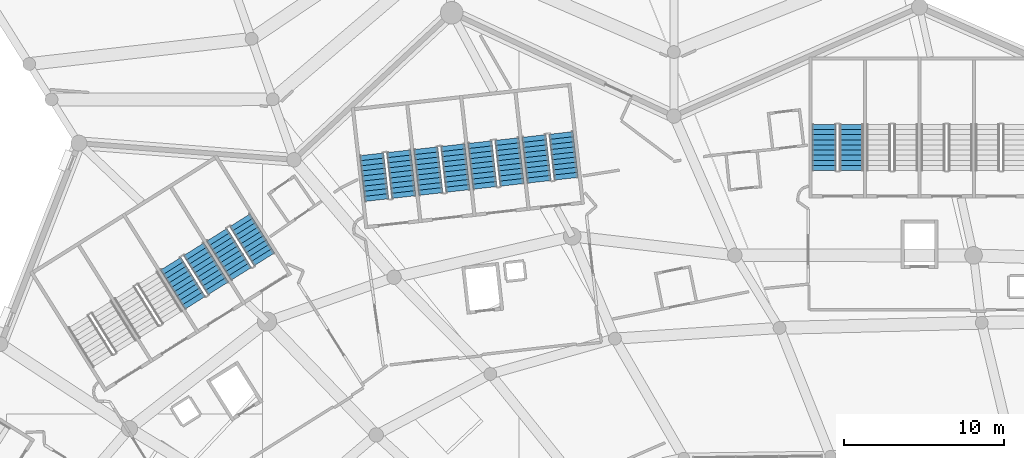
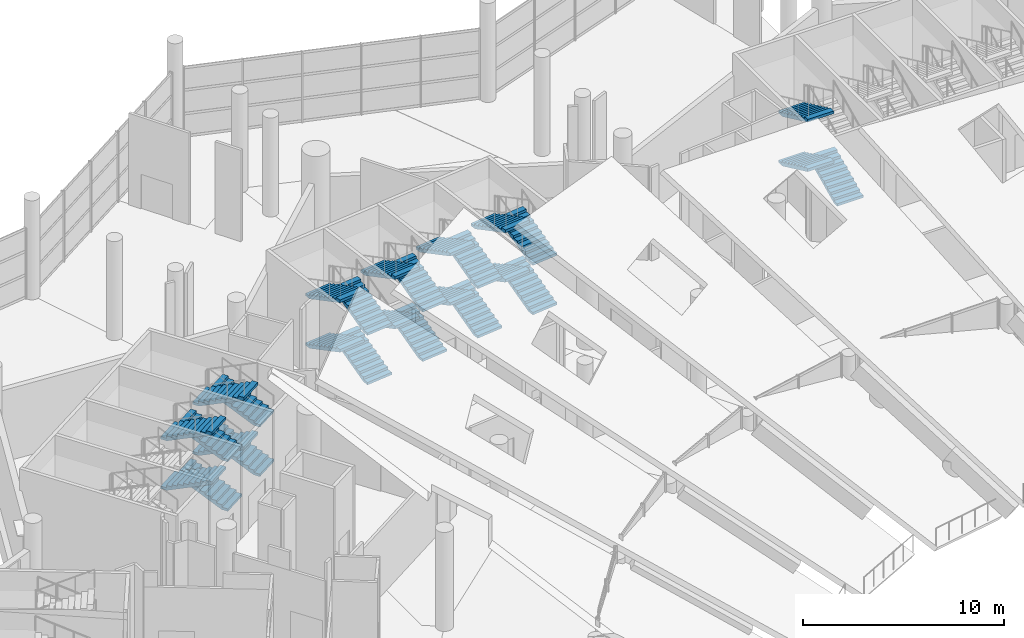
# One storey, part 193 of 249: 27 stair flights, 7 elements without a shape of their own.
"""IFC4 building model written with IfcOpenShell, lengths in metres."""

from ifc_helpers import new_model, si_unit, direction, frame, origin, place, context, subcontext, project, spatial, polyline, outline, extrude, material, type_object, element, aggregate, save


model = new_model("IFC4")

# Units and contexts
model_context = context("Model", 3, precision=1e-05, world=origin(), true_north=direction((0.0, 1.0)))
body_context = subcontext(model_context, "Body", "Model", "MODEL_VIEW")
ifc_project = project(units=[si_unit("LENGTHUNIT", "METRE"), si_unit("AREAUNIT", "SQUARE_METRE"), si_unit("VOLUMEUNIT", "CUBIC_METRE"), si_unit("PLANEANGLEUNIT", "RADIAN"), si_unit("MASSUNIT", "GRAM", prefix="KILO")], contexts=[model_context])

# Site, building, storey
site_placement = place(None, origin())
site = spatial("IfcSite", under=ifc_project, at=site_placement, CompositionType="ELEMENT")
building_placement = place(site_placement, origin())
building = spatial("IfcBuilding", under=site, at=building_placement, Name="Meseta Stadium", CompositionType="ELEMENT")
storey_placement = place(building_placement, frame((0.0, 0.0, 12.0)))
storey = spatial("IfcBuildingStorey", under=building, at=storey_placement, Name="L02", CompositionType="ELEMENT", Elevation=12.0)

# Stair, stair flights
ifc_material_1 = material(Name="Concrete C40/50", Category="concrete")
stair_type = type_object("IfcStairType", Name="Exit stair 4 flights 150 mm risers", PredefinedType="HALF_TURN_STAIR", material=ifc_material_1)
stair_1_placement = place(storey_placement, origin())
stair_1 = element("IfcStair", 1, at=stair_1_placement, inside=storey, type_object=stair_type, Name="ST44 L02", PredefinedType="HALF_TURN_STAIR")
ifc_material_2 = material(Name="Concrete C40/50", Category="concrete")
stair_flight_type = type_object("IfcStairFlightType", Name="Exit stair flight 150 mm risers, 4 per storey", PredefinedType="STRAIGHT", material=ifc_material_2)
stair_flight_1_placement = place(storey_placement, frame((-27.25, 95.199951171875, 0.0), z_axis=(0.0, 0.0, 1.0), x_axis=(0.0, 1.0, 0.0)))
stair_flight_1 = element("IfcStairFlight", 2, at=stair_flight_1_placement, type_object=stair_flight_type, Name="ST44 L02 flight 1", NumberOfRisers=10, NumberOfTreads=9, PredefinedType="STRAIGHT", RiserHeight=0.15, TreadLength=0.32, context=body_context, shape_type="SweptSolid", body=[
    extrude(outline(polyline([(0.0, 0.0), (0.0, 0.14990234375), (0.320068359375, 0.14990234375), (0.320068359375, 0.300048828125), (0.639892578125, 0.300048828125), (0.639892578125, 0.449951171875), (0.9599609375, 0.449951171875), (0.9599609375, 0.60009765625), (1.280029296875, 0.60009765625), (1.280029296875, 0.75), (1.60009765625, 0.75), (1.60009765625, 0.89990234375), (1.919921875, 0.89990234375), (1.919921875, 1.050048828125), (2.239990234375, 1.050048828125), (2.239990234375, 1.199951171875), (2.56005859375, 1.199951171875), (2.56005859375, 1.35009765625), (2.8798828125, 1.35009765625), (2.8798828125, 1.184326171875), (0.353271484375, 0.0), (0.0, 0.0)])), frame((0.0, 0.75, 0.0), z_axis=(0.0, -1.0, 0.0), x_axis=(1.0, 0.0, 0.0)), (0.0, 0.0, 1.0), 1.5),
])
stair_flight_2_placement = place(storey_placement, frame((-28.949951171875, 98.080078125, 1.5), z_axis=(0.0, 0.0, 1.0), x_axis=(0.0, -1.0, 0.0)))
stair_flight_2 = element("IfcStairFlight", 3, at=stair_flight_2_placement, type_object=stair_flight_type, Name="ST44 L02 flight 2", NumberOfRisers=10, NumberOfTreads=9, PredefinedType="STRAIGHT", RiserHeight=0.15, TreadLength=0.32, context=body_context, shape_type="SweptSolid", body=[
    extrude(outline(polyline([(0.0, 0.0), (0.0, 0.14990234375), (0.320068359375, 0.14990234375), (0.320068359375, 0.300048828125), (0.639892578125, 0.300048828125), (0.639892578125, 0.449951171875), (0.9599609375, 0.449951171875), (0.9599609375, 0.60009765625), (1.280029296875, 0.60009765625), (1.280029296875, 0.75), (1.60009765625, 0.75), (1.60009765625, 0.89990234375), (1.919921875, 0.89990234375), (1.919921875, 1.050048828125), (2.239990234375, 1.050048828125), (2.239990234375, 1.199951171875), (2.56005859375, 1.199951171875), (2.56005859375, 1.35009765625), (2.8798828125, 1.35009765625), (2.8798828125, 1.184326171875), (0.353271484375, 0.0), (0.0, 0.0)])), frame((0.0, 0.75, 0.0), z_axis=(0.0, -1.0, 0.0), x_axis=(1.0, 0.0, 0.0)), (0.0, 0.0, 1.0), 1.5),
])
stair_flight_3_placement = place(storey_placement, frame((-28.949951171875, 98.080078125, 4.5), z_axis=(0.0, 0.0, 1.0), x_axis=(0.0, -1.0, 0.0)))
stair_flight_3 = element("IfcStairFlight", 4, at=stair_flight_3_placement, type_object=stair_flight_type, Name="ST44 L02 flight 4", NumberOfRisers=10, NumberOfTreads=9, PredefinedType="STRAIGHT", RiserHeight=0.15, TreadLength=0.32, context=body_context, shape_type="SweptSolid", body=[
    extrude(outline(polyline([(0.0, 0.0), (0.0, 0.14990234375), (0.320068359375, 0.14990234375), (0.320068359375, 0.300048828125), (0.639892578125, 0.300048828125), (0.639892578125, 0.449951171875), (0.9599609375, 0.449951171875), (0.9599609375, 0.60009765625), (1.280029296875, 0.60009765625), (1.280029296875, 0.75), (1.60009765625, 0.75), (1.60009765625, 0.89990234375), (1.919921875, 0.89990234375), (1.919921875, 1.050048828125), (2.239990234375, 1.050048828125), (2.239990234375, 1.199951171875), (2.56005859375, 1.199951171875), (2.56005859375, 1.35009765625), (2.8798828125, 1.35009765625), (2.8798828125, 1.184326171875), (0.353271484375, 0.0), (0.0, 0.0)])), frame((0.0, 0.75, 0.0), z_axis=(0.0, -1.0, 0.0), x_axis=(1.0, 0.0, 0.0)), (0.0, 0.0, 1.0), 1.5),
])
aggregate(stair_1, [stair_flight_1, stair_flight_2, stair_flight_3])

stair_2_placement = place(storey_placement, origin())
stair_2 = element("IfcStair", 5, at=stair_2_placement, inside=storey, type_object=stair_type, Name="ST45 L02", PredefinedType="HALF_TURN_STAIR")
stair_flight_4_placement = place(storey_placement, frame((-45.04736328125, 94.687744140625, 0.0), z_axis=(0.0, 0.0, 1.0), x_axis=(-0.11196446867, 0.993712210731, 0.0)))
stair_flight_4 = element("IfcStairFlight", 6, at=stair_flight_4_placement, type_object=stair_flight_type, Name="ST45 L02 flight 1", NumberOfRisers=10, NumberOfTreads=9, PredefinedType="STRAIGHT", RiserHeight=0.15, TreadLength=0.32, context=body_context, shape_type="SweptSolid", body=[
    extrude(outline(polyline([(0.0, 0.0), (0.0, 0.14990234375), (0.320068359375, 0.14990234375), (0.320068359375, 0.300048828125), (0.639892578125, 0.300048828125), (0.639892578125, 0.449951171875), (0.9599609375, 0.449951171875), (0.9599609375, 0.60009765625), (1.280029296875, 0.60009765625), (1.280029296875, 0.75), (1.60009765625, 0.75), (1.60009765625, 0.89990234375), (1.919921875, 0.89990234375), (1.919921875, 1.050048828125), (2.239990234375, 1.050048828125), (2.239990234375, 1.199951171875), (2.56005859375, 1.199951171875), (2.56005859375, 1.35009765625), (2.8798828125, 1.35009765625), (2.8798828125, 1.184326171875), (0.353271484375, 0.0), (0.0, 0.0)])), frame((0.0, 0.75, 0.0), z_axis=(0.0, -1.0, 0.0), x_axis=(1.0, 0.0, 0.0)), (0.0, 0.0, 1.0), 1.5),
])
stair_flight_5_placement = place(storey_placement, frame((-47.059326171875, 97.359130859375, 1.5), z_axis=(0.0, 0.0, 1.0), x_axis=(0.11196446867, -0.993712210731, 0.0)))
stair_flight_5 = element("IfcStairFlight", 7, at=stair_flight_5_placement, type_object=stair_flight_type, Name="ST45 L02 flight 2", NumberOfRisers=10, NumberOfTreads=9, PredefinedType="STRAIGHT", RiserHeight=0.15, TreadLength=0.32, context=body_context, shape_type="SweptSolid", body=[
    extrude(outline(polyline([(0.0, 0.0), (0.0, 0.14990234375), (0.320068359375, 0.14990234375), (0.320068359375, 0.300048828125), (0.639892578125, 0.300048828125), (0.639892578125, 0.449951171875), (0.9599609375, 0.449951171875), (0.9599609375, 0.60009765625), (1.280029296875, 0.60009765625), (1.280029296875, 0.75), (1.60009765625, 0.75), (1.60009765625, 0.89990234375), (1.919921875, 0.89990234375), (1.919921875, 1.050048828125), (2.239990234375, 1.050048828125), (2.239990234375, 1.199951171875), (2.56005859375, 1.199951171875), (2.56005859375, 1.35009765625), (2.8798828125, 1.35009765625), (2.8798828125, 1.184326171875), (0.353271484375, 0.0), (0.0, 0.0)])), frame((0.0, 0.75, 0.0), z_axis=(0.0, -1.0, 0.0), x_axis=(1.0, 0.0, 0.0)), (0.0, 0.0, 1.0), 1.5),
])
stair_flight_6_placement = place(storey_placement, frame((-45.04736328125, 94.687744140625, 3.0), z_axis=(0.0, 0.0, 1.0), x_axis=(-0.11196446867, 0.993712210731, 0.0)))
stair_flight_6 = element("IfcStairFlight", 8, at=stair_flight_6_placement, type_object=stair_flight_type, Name="ST45 L02 flight 3", NumberOfRisers=10, NumberOfTreads=9, PredefinedType="STRAIGHT", RiserHeight=0.15, TreadLength=0.32, context=body_context, shape_type="SweptSolid", body=[
    extrude(outline(polyline([(0.0, 0.0), (0.0, 0.14990234375), (0.320068359375, 0.14990234375), (0.320068359375, 0.300048828125), (0.639892578125, 0.300048828125), (0.639892578125, 0.449951171875), (0.9599609375, 0.449951171875), (0.9599609375, 0.60009765625), (1.280029296875, 0.60009765625), (1.280029296875, 0.75), (1.60009765625, 0.75), (1.60009765625, 0.89990234375), (1.919921875, 0.89990234375), (1.919921875, 1.050048828125), (2.239990234375, 1.050048828125), (2.239990234375, 1.199951171875), (2.56005859375, 1.199951171875), (2.56005859375, 1.35009765625), (2.8798828125, 1.35009765625), (2.8798828125, 1.184326171875), (0.353271484375, 0.0), (0.0, 0.0)])), frame((0.0, 0.75, 0.0), z_axis=(0.0, -1.0, 0.0), x_axis=(1.0, 0.0, 0.0)), (0.0, 0.0, 1.0), 1.5),
])
stair_flight_7_placement = place(storey_placement, frame((-47.059326171875, 97.359130859375, 4.5), z_axis=(0.0, 0.0, 1.0), x_axis=(0.11196446867, -0.993712210731, 0.0)))
stair_flight_7 = element("IfcStairFlight", 9, at=stair_flight_7_placement, type_object=stair_flight_type, Name="ST45 L02 flight 4", NumberOfRisers=10, NumberOfTreads=9, PredefinedType="STRAIGHT", RiserHeight=0.15, TreadLength=0.32, context=body_context, shape_type="SweptSolid", body=[
    extrude(outline(polyline([(0.0, 0.0), (0.0, 0.14990234375), (0.320068359375, 0.14990234375), (0.320068359375, 0.300048828125), (0.639892578125, 0.300048828125), (0.639892578125, 0.449951171875), (0.9599609375, 0.449951171875), (0.9599609375, 0.60009765625), (1.280029296875, 0.60009765625), (1.280029296875, 0.75), (1.60009765625, 0.75), (1.60009765625, 0.89990234375), (1.919921875, 0.89990234375), (1.919921875, 1.050048828125), (2.239990234375, 1.050048828125), (2.239990234375, 1.199951171875), (2.56005859375, 1.199951171875), (2.56005859375, 1.35009765625), (2.8798828125, 1.35009765625), (2.8798828125, 1.184326171875), (0.353271484375, 0.0), (0.0, 0.0)])), frame((0.0, 0.75, 0.0), z_axis=(0.0, -1.0, 0.0), x_axis=(1.0, 0.0, 0.0)), (0.0, 0.0, 1.0), 1.5),
])
aggregate(stair_2, [stair_flight_4, stair_flight_5, stair_flight_6, stair_flight_7])

stair_3_placement = place(storey_placement, origin())
stair_3 = element("IfcStair", 10, at=stair_3_placement, inside=storey, type_object=stair_type, Name="ST46 L02", PredefinedType="HALF_TURN_STAIR")
stair_flight_8_placement = place(storey_placement, frame((-48.426025390625, 94.306884765625, 0.0), z_axis=(0.0, 0.0, 1.0), x_axis=(-0.11196446867, 0.993712210731, 0.0)))
stair_flight_8 = element("IfcStairFlight", 11, at=stair_flight_8_placement, type_object=stair_flight_type, Name="ST46 L02 flight 1", NumberOfRisers=10, NumberOfTreads=9, PredefinedType="STRAIGHT", RiserHeight=0.15, TreadLength=0.32, context=body_context, shape_type="SweptSolid", body=[
    extrude(outline(polyline([(0.0, 0.0), (0.0, 0.14990234375), (0.320068359375, 0.14990234375), (0.320068359375, 0.300048828125), (0.639892578125, 0.300048828125), (0.639892578125, 0.449951171875), (0.9599609375, 0.449951171875), (0.9599609375, 0.60009765625), (1.280029296875, 0.60009765625), (1.280029296875, 0.75), (1.60009765625, 0.75), (1.60009765625, 0.89990234375), (1.919921875, 0.89990234375), (1.919921875, 1.050048828125), (2.239990234375, 1.050048828125), (2.239990234375, 1.199951171875), (2.56005859375, 1.199951171875), (2.56005859375, 1.35009765625), (2.8798828125, 1.35009765625), (2.8798828125, 1.184326171875), (0.353271484375, 0.0), (0.0, 0.0)])), frame((0.0, 0.75, 0.0), z_axis=(0.0, -1.0, 0.0), x_axis=(1.0, 0.0, 0.0)), (0.0, 0.0, 1.0), 1.5),
])
stair_flight_9_placement = place(storey_placement, frame((-50.437744140625, 96.978515625, 1.5), z_axis=(0.0, 0.0, 1.0), x_axis=(0.11196446867, -0.993712210731, 0.0)))
stair_flight_9 = element("IfcStairFlight", 12, at=stair_flight_9_placement, type_object=stair_flight_type, Name="ST46 L02 flight 2", NumberOfRisers=10, NumberOfTreads=9, PredefinedType="STRAIGHT", RiserHeight=0.15, TreadLength=0.32, context=body_context, shape_type="SweptSolid", body=[
    extrude(outline(polyline([(0.0, 0.0), (0.0, 0.14990234375), (0.320068359375, 0.14990234375), (0.320068359375, 0.300048828125), (0.639892578125, 0.300048828125), (0.639892578125, 0.449951171875), (0.9599609375, 0.449951171875), (0.9599609375, 0.60009765625), (1.280029296875, 0.60009765625), (1.280029296875, 0.75), (1.60009765625, 0.75), (1.60009765625, 0.89990234375), (1.919921875, 0.89990234375), (1.919921875, 1.050048828125), (2.239990234375, 1.050048828125), (2.239990234375, 1.199951171875), (2.56005859375, 1.199951171875), (2.56005859375, 1.35009765625), (2.8798828125, 1.35009765625), (2.8798828125, 1.184326171875), (0.353271484375, 0.0), (0.0, 0.0)])), frame((0.0, 0.75, 0.0), z_axis=(0.0, -1.0, 0.0), x_axis=(1.0, 0.0, 0.0)), (0.0, 0.0, 1.0), 1.5),
])
stair_flight_10_placement = place(storey_placement, frame((-48.426025390625, 94.306884765625, 3.0), z_axis=(0.0, 0.0, 1.0), x_axis=(-0.11196446867, 0.993712210731, 0.0)))
stair_flight_10 = element("IfcStairFlight", 13, at=stair_flight_10_placement, type_object=stair_flight_type, Name="ST46 L02 flight 3", NumberOfRisers=10, NumberOfTreads=9, PredefinedType="STRAIGHT", RiserHeight=0.15, TreadLength=0.32, context=body_context, shape_type="SweptSolid", body=[
    extrude(outline(polyline([(0.0, 0.0), (0.0, 0.14990234375), (0.320068359375, 0.14990234375), (0.320068359375, 0.300048828125), (0.639892578125, 0.300048828125), (0.639892578125, 0.449951171875), (0.9599609375, 0.449951171875), (0.9599609375, 0.60009765625), (1.280029296875, 0.60009765625), (1.280029296875, 0.75), (1.60009765625, 0.75), (1.60009765625, 0.89990234375), (1.919921875, 0.89990234375), (1.919921875, 1.050048828125), (2.239990234375, 1.050048828125), (2.239990234375, 1.199951171875), (2.56005859375, 1.199951171875), (2.56005859375, 1.35009765625), (2.8798828125, 1.35009765625), (2.8798828125, 1.184326171875), (0.353271484375, 0.0), (0.0, 0.0)])), frame((0.0, 0.75, 0.0), z_axis=(0.0, -1.0, 0.0), x_axis=(1.0, 0.0, 0.0)), (0.0, 0.0, 1.0), 1.5),
])
stair_flight_11_placement = place(storey_placement, frame((-50.437744140625, 96.978515625, 4.5), z_axis=(0.0, 0.0, 1.0), x_axis=(0.11196446867, -0.993712210731, 0.0)))
stair_flight_11 = element("IfcStairFlight", 14, at=stair_flight_11_placement, type_object=stair_flight_type, Name="ST46 L02 flight 4", NumberOfRisers=10, NumberOfTreads=9, PredefinedType="STRAIGHT", RiserHeight=0.15, TreadLength=0.32, context=body_context, shape_type="SweptSolid", body=[
    extrude(outline(polyline([(0.0, 0.0), (0.0, 0.14990234375), (0.320068359375, 0.14990234375), (0.320068359375, 0.300048828125), (0.639892578125, 0.300048828125), (0.639892578125, 0.449951171875), (0.9599609375, 0.449951171875), (0.9599609375, 0.60009765625), (1.280029296875, 0.60009765625), (1.280029296875, 0.75), (1.60009765625, 0.75), (1.60009765625, 0.89990234375), (1.919921875, 0.89990234375), (1.919921875, 1.050048828125), (2.239990234375, 1.050048828125), (2.239990234375, 1.199951171875), (2.56005859375, 1.199951171875), (2.56005859375, 1.35009765625), (2.8798828125, 1.35009765625), (2.8798828125, 1.184326171875), (0.353271484375, 0.0), (0.0, 0.0)])), frame((0.0, 0.75, 0.0), z_axis=(0.0, -1.0, 0.0), x_axis=(1.0, 0.0, 0.0)), (0.0, 0.0, 1.0), 1.5),
])
aggregate(stair_3, [stair_flight_8, stair_flight_9, stair_flight_10, stair_flight_11])

stair_4_placement = place(storey_placement, origin())
stair_4 = element("IfcStair", 15, at=stair_4_placement, inside=storey, type_object=stair_type, Name="ST47 L02", PredefinedType="HALF_TURN_STAIR")
stair_flight_12_placement = place(storey_placement, frame((-51.8046875, 93.92626953125, 0.0), z_axis=(0.0, 0.0, 1.0), x_axis=(-0.11196446867, 0.993712210731, 0.0)))
stair_flight_12 = element("IfcStairFlight", 16, at=stair_flight_12_placement, type_object=stair_flight_type, Name="ST47 L02 flight 1", NumberOfRisers=10, NumberOfTreads=9, PredefinedType="STRAIGHT", RiserHeight=0.15, TreadLength=0.32, context=body_context, shape_type="SweptSolid", body=[
    extrude(outline(polyline([(0.0, 0.0), (0.0, 0.14990234375), (0.320068359375, 0.14990234375), (0.320068359375, 0.300048828125), (0.639892578125, 0.300048828125), (0.639892578125, 0.449951171875), (0.9599609375, 0.449951171875), (0.9599609375, 0.60009765625), (1.280029296875, 0.60009765625), (1.280029296875, 0.75), (1.60009765625, 0.75), (1.60009765625, 0.89990234375), (1.919921875, 0.89990234375), (1.919921875, 1.050048828125), (2.239990234375, 1.050048828125), (2.239990234375, 1.199951171875), (2.56005859375, 1.199951171875), (2.56005859375, 1.35009765625), (2.8798828125, 1.35009765625), (2.8798828125, 1.184326171875), (0.353271484375, 0.0), (0.0, 0.0)])), frame((0.0, 0.75, 0.0), z_axis=(0.0, -1.0, 0.0), x_axis=(1.0, 0.0, 0.0)), (0.0, 0.0, 1.0), 1.5),
])
stair_flight_13_placement = place(storey_placement, frame((-53.81640625, 96.597900390625, 1.5), z_axis=(0.0, 0.0, 1.0), x_axis=(0.11196446867, -0.993712210731, 0.0)))
stair_flight_13 = element("IfcStairFlight", 17, at=stair_flight_13_placement, type_object=stair_flight_type, Name="ST47 L02 flight 2", NumberOfRisers=10, NumberOfTreads=9, PredefinedType="STRAIGHT", RiserHeight=0.15, TreadLength=0.32, context=body_context, shape_type="SweptSolid", body=[
    extrude(outline(polyline([(0.0, 0.0), (0.0, 0.14990234375), (0.320068359375, 0.14990234375), (0.320068359375, 0.300048828125), (0.639892578125, 0.300048828125), (0.639892578125, 0.449951171875), (0.9599609375, 0.449951171875), (0.9599609375, 0.60009765625), (1.280029296875, 0.60009765625), (1.280029296875, 0.75), (1.60009765625, 0.75), (1.60009765625, 0.89990234375), (1.919921875, 0.89990234375), (1.919921875, 1.050048828125), (2.239990234375, 1.050048828125), (2.239990234375, 1.199951171875), (2.56005859375, 1.199951171875), (2.56005859375, 1.35009765625), (2.8798828125, 1.35009765625), (2.8798828125, 1.184326171875), (0.353271484375, 0.0), (0.0, 0.0)])), frame((0.0, 0.75, 0.0), z_axis=(0.0, -1.0, 0.0), x_axis=(1.0, 0.0, 0.0)), (0.0, 0.0, 1.0), 1.5),
])
stair_flight_14_placement = place(storey_placement, frame((-51.8046875, 93.92626953125, 3.0), z_axis=(0.0, 0.0, 1.0), x_axis=(-0.11196446867, 0.993712210731, 0.0)))
stair_flight_14 = element("IfcStairFlight", 18, at=stair_flight_14_placement, type_object=stair_flight_type, Name="ST47 L02 flight 3", NumberOfRisers=10, NumberOfTreads=9, PredefinedType="STRAIGHT", RiserHeight=0.15, TreadLength=0.32, context=body_context, shape_type="SweptSolid", body=[
    extrude(outline(polyline([(0.0, 0.0), (0.0, 0.14990234375), (0.320068359375, 0.14990234375), (0.320068359375, 0.300048828125), (0.639892578125, 0.300048828125), (0.639892578125, 0.449951171875), (0.9599609375, 0.449951171875), (0.9599609375, 0.60009765625), (1.280029296875, 0.60009765625), (1.280029296875, 0.75), (1.60009765625, 0.75), (1.60009765625, 0.89990234375), (1.919921875, 0.89990234375), (1.919921875, 1.050048828125), (2.239990234375, 1.050048828125), (2.239990234375, 1.199951171875), (2.56005859375, 1.199951171875), (2.56005859375, 1.35009765625), (2.8798828125, 1.35009765625), (2.8798828125, 1.184326171875), (0.353271484375, 0.0), (0.0, 0.0)])), frame((0.0, 0.75, 0.0), z_axis=(0.0, -1.0, 0.0), x_axis=(1.0, 0.0, 0.0)), (0.0, 0.0, 1.0), 1.5),
])
stair_flight_15_placement = place(storey_placement, frame((-53.81640625, 96.597900390625, 4.5), z_axis=(0.0, 0.0, 1.0), x_axis=(0.11196446867, -0.993712210731, 0.0)))
stair_flight_15 = element("IfcStairFlight", 19, at=stair_flight_15_placement, type_object=stair_flight_type, Name="ST47 L02 flight 4", NumberOfRisers=10, NumberOfTreads=9, PredefinedType="STRAIGHT", RiserHeight=0.15, TreadLength=0.32, context=body_context, shape_type="SweptSolid", body=[
    extrude(outline(polyline([(0.0, 0.0), (0.0, 0.14990234375), (0.320068359375, 0.14990234375), (0.320068359375, 0.300048828125), (0.639892578125, 0.300048828125), (0.639892578125, 0.449951171875), (0.9599609375, 0.449951171875), (0.9599609375, 0.60009765625), (1.280029296875, 0.60009765625), (1.280029296875, 0.75), (1.60009765625, 0.75), (1.60009765625, 0.89990234375), (1.919921875, 0.89990234375), (1.919921875, 1.050048828125), (2.239990234375, 1.050048828125), (2.239990234375, 1.199951171875), (2.56005859375, 1.199951171875), (2.56005859375, 1.35009765625), (2.8798828125, 1.35009765625), (2.8798828125, 1.184326171875), (0.353271484375, 0.0), (0.0, 0.0)])), frame((0.0, 0.75, 0.0), z_axis=(0.0, -1.0, 0.0), x_axis=(1.0, 0.0, 0.0)), (0.0, 0.0, 1.0), 1.5),
])
aggregate(stair_4, [stair_flight_12, stair_flight_13, stair_flight_14, stair_flight_15])

stair_5_placement = place(storey_placement, origin())
stair_5 = element("IfcStair", 20, at=stair_5_placement, inside=storey, type_object=stair_type, Name="ST48 L02", PredefinedType="HALF_TURN_STAIR")
stair_flight_16_placement = place(storey_placement, frame((-55.183349609375, 93.545654296875, 0.0), z_axis=(0.0, 0.0, 1.0), x_axis=(-0.11196446867, 0.993712210731, 0.0)))
stair_flight_16 = element("IfcStairFlight", 21, at=stair_flight_16_placement, type_object=stair_flight_type, Name="ST48 L02 flight 1", NumberOfRisers=10, NumberOfTreads=9, PredefinedType="STRAIGHT", RiserHeight=0.15, TreadLength=0.32, context=body_context, shape_type="SweptSolid", body=[
    extrude(outline(polyline([(0.0, 0.0), (0.0, 0.14990234375), (0.320068359375, 0.14990234375), (0.320068359375, 0.300048828125), (0.639892578125, 0.300048828125), (0.639892578125, 0.449951171875), (0.9599609375, 0.449951171875), (0.9599609375, 0.60009765625), (1.280029296875, 0.60009765625), (1.280029296875, 0.75), (1.60009765625, 0.75), (1.60009765625, 0.89990234375), (1.919921875, 0.89990234375), (1.919921875, 1.050048828125), (2.239990234375, 1.050048828125), (2.239990234375, 1.199951171875), (2.56005859375, 1.199951171875), (2.56005859375, 1.35009765625), (2.8798828125, 1.35009765625), (2.8798828125, 1.184326171875), (0.353271484375, 0.0), (0.0, 0.0)])), frame((0.0, 0.75, 0.0), z_axis=(0.0, -1.0, 0.0), x_axis=(1.0, 0.0, 0.0)), (0.0, 0.0, 1.0), 1.5),
])
stair_flight_17_placement = place(storey_placement, frame((-57.195068359375, 96.217041015625, 1.5), z_axis=(0.0, 0.0, 1.0), x_axis=(0.11196446867, -0.993712210731, 0.0)))
stair_flight_17 = element("IfcStairFlight", 22, at=stair_flight_17_placement, type_object=stair_flight_type, Name="ST48 L02 flight 2", NumberOfRisers=10, NumberOfTreads=9, PredefinedType="STRAIGHT", RiserHeight=0.15, TreadLength=0.32, context=body_context, shape_type="SweptSolid", body=[
    extrude(outline(polyline([(0.0, 0.0), (0.0, 0.14990234375), (0.320068359375, 0.14990234375), (0.320068359375, 0.300048828125), (0.639892578125, 0.300048828125), (0.639892578125, 0.449951171875), (0.9599609375, 0.449951171875), (0.9599609375, 0.60009765625), (1.280029296875, 0.60009765625), (1.280029296875, 0.75), (1.60009765625, 0.75), (1.60009765625, 0.89990234375), (1.919921875, 0.89990234375), (1.919921875, 1.050048828125), (2.239990234375, 1.050048828125), (2.239990234375, 1.199951171875), (2.56005859375, 1.199951171875), (2.56005859375, 1.35009765625), (2.8798828125, 1.35009765625), (2.8798828125, 1.184326171875), (0.353271484375, 0.0), (0.0, 0.0)])), frame((0.0, 0.75, 0.0), z_axis=(0.0, -1.0, 0.0), x_axis=(1.0, 0.0, 0.0)), (0.0, 0.0, 1.0), 1.5),
])
stair_flight_18_placement = place(storey_placement, frame((-55.183349609375, 93.545654296875, 3.0), z_axis=(0.0, 0.0, 1.0), x_axis=(-0.11196446867, 0.993712210731, 0.0)))
stair_flight_18 = element("IfcStairFlight", 23, at=stair_flight_18_placement, type_object=stair_flight_type, Name="ST48 L02 flight 3", NumberOfRisers=10, NumberOfTreads=9, PredefinedType="STRAIGHT", RiserHeight=0.15, TreadLength=0.32, context=body_context, shape_type="SweptSolid", body=[
    extrude(outline(polyline([(0.0, 0.0), (0.0, 0.14990234375), (0.320068359375, 0.14990234375), (0.320068359375, 0.300048828125), (0.639892578125, 0.300048828125), (0.639892578125, 0.449951171875), (0.9599609375, 0.449951171875), (0.9599609375, 0.60009765625), (1.280029296875, 0.60009765625), (1.280029296875, 0.75), (1.60009765625, 0.75), (1.60009765625, 0.89990234375), (1.919921875, 0.89990234375), (1.919921875, 1.050048828125), (2.239990234375, 1.050048828125), (2.239990234375, 1.199951171875), (2.56005859375, 1.199951171875), (2.56005859375, 1.35009765625), (2.8798828125, 1.35009765625), (2.8798828125, 1.184326171875), (0.353271484375, 0.0), (0.0, 0.0)])), frame((0.0, 0.75, 0.0), z_axis=(0.0, -1.0, 0.0), x_axis=(1.0, 0.0, 0.0)), (0.0, 0.0, 1.0), 1.5),
])
stair_flight_19_placement = place(storey_placement, frame((-57.195068359375, 96.217041015625, 4.5), z_axis=(0.0, 0.0, 1.0), x_axis=(0.11196446867, -0.993712210731, 0.0)))
stair_flight_19 = element("IfcStairFlight", 24, at=stair_flight_19_placement, type_object=stair_flight_type, Name="ST48 L02 flight 4", NumberOfRisers=10, NumberOfTreads=9, PredefinedType="STRAIGHT", RiserHeight=0.15, TreadLength=0.32, context=body_context, shape_type="SweptSolid", body=[
    extrude(outline(polyline([(0.0, 0.0), (0.0, 0.14990234375), (0.320068359375, 0.14990234375), (0.320068359375, 0.300048828125), (0.639892578125, 0.300048828125), (0.639892578125, 0.449951171875), (0.9599609375, 0.449951171875), (0.9599609375, 0.60009765625), (1.280029296875, 0.60009765625), (1.280029296875, 0.75), (1.60009765625, 0.75), (1.60009765625, 0.89990234375), (1.919921875, 0.89990234375), (1.919921875, 1.050048828125), (2.239990234375, 1.050048828125), (2.239990234375, 1.199951171875), (2.56005859375, 1.199951171875), (2.56005859375, 1.35009765625), (2.8798828125, 1.35009765625), (2.8798828125, 1.184326171875), (0.353271484375, 0.0), (0.0, 0.0)])), frame((0.0, 0.75, 0.0), z_axis=(0.0, -1.0, 0.0), x_axis=(1.0, 0.0, 0.0)), (0.0, 0.0, 1.0), 1.5),
])
aggregate(stair_5, [stair_flight_16, stair_flight_17, stair_flight_18, stair_flight_19])

stair_6_placement = place(storey_placement, origin())
stair_6 = element("IfcStair", 25, at=stair_6_placement, inside=storey, type_object=stair_type, Name="ST49 L02", PredefinedType="HALF_TURN_STAIR")
stair_flight_20_placement = place(storey_placement, frame((-63.892578125, 89.659423828125, 0.0), z_axis=(0.0, 0.0, 1.0), x_axis=(-0.532032074404, 0.846724200555, 0.0)))
stair_flight_20 = element("IfcStairFlight", 26, at=stair_flight_20_placement, type_object=stair_flight_type, Name="ST49 L02 flight 1", NumberOfRisers=10, NumberOfTreads=9, PredefinedType="STRAIGHT", RiserHeight=0.15, TreadLength=0.32, context=body_context, shape_type="SweptSolid", body=[
    extrude(outline(polyline([(0.0, 0.0), (0.0, 0.14990234375), (0.320068359375, 0.14990234375), (0.320068359375, 0.300048828125), (0.639892578125, 0.300048828125), (0.639892578125, 0.449951171875), (0.9599609375, 0.449951171875), (0.9599609375, 0.60009765625), (1.280029296875, 0.60009765625), (1.280029296875, 0.75), (1.60009765625, 0.75), (1.60009765625, 0.89990234375), (1.919921875, 0.89990234375), (1.919921875, 1.050048828125), (2.239990234375, 1.050048828125), (2.239990234375, 1.199951171875), (2.56005859375, 1.199951171875), (2.56005859375, 1.35009765625), (2.8798828125, 1.35009765625), (2.8798828125, 1.184326171875), (0.353271484375, 0.0), (0.0, 0.0)])), frame((0.0, 0.75, 0.0), z_axis=(0.0, -1.0, 0.0), x_axis=(1.0, 0.0, 0.0)), (0.0, 0.0, 1.0), 1.5),
])
stair_flight_21_placement = place(storey_placement, frame((-66.8642578125, 91.193603515625, 1.5), z_axis=(0.0, 0.0, 1.0), x_axis=(0.532032074404, -0.846724200555, 0.0)))
stair_flight_21 = element("IfcStairFlight", 27, at=stair_flight_21_placement, type_object=stair_flight_type, Name="ST49 L02 flight 2", NumberOfRisers=10, NumberOfTreads=9, PredefinedType="STRAIGHT", RiserHeight=0.15, TreadLength=0.32, context=body_context, shape_type="SweptSolid", body=[
    extrude(outline(polyline([(0.0, 0.0), (0.0, 0.14990234375), (0.320068359375, 0.14990234375), (0.320068359375, 0.300048828125), (0.639892578125, 0.300048828125), (0.639892578125, 0.449951171875), (0.9599609375, 0.449951171875), (0.9599609375, 0.60009765625), (1.280029296875, 0.60009765625), (1.280029296875, 0.75), (1.60009765625, 0.75), (1.60009765625, 0.89990234375), (1.919921875, 0.89990234375), (1.919921875, 1.050048828125), (2.239990234375, 1.050048828125), (2.239990234375, 1.199951171875), (2.56005859375, 1.199951171875), (2.56005859375, 1.35009765625), (2.8798828125, 1.35009765625), (2.8798828125, 1.184326171875), (0.353271484375, 0.0), (0.0, 0.0)])), frame((0.0, 0.75, 0.0), z_axis=(0.0, -1.0, 0.0), x_axis=(1.0, 0.0, 0.0)), (0.0, 0.0, 1.0), 1.5),
])
stair_flight_22_placement = place(storey_placement, frame((-63.892578125, 89.659423828125, 3.0), z_axis=(0.0, 0.0, 1.0), x_axis=(-0.532032074404, 0.846724200555, 0.0)))
stair_flight_22 = element("IfcStairFlight", 28, at=stair_flight_22_placement, type_object=stair_flight_type, Name="ST49 L02 flight 3", NumberOfRisers=10, NumberOfTreads=9, PredefinedType="STRAIGHT", RiserHeight=0.15, TreadLength=0.32, context=body_context, shape_type="SweptSolid", body=[
    extrude(outline(polyline([(0.0, 0.0), (0.0, 0.14990234375), (0.320068359375, 0.14990234375), (0.320068359375, 0.300048828125), (0.639892578125, 0.300048828125), (0.639892578125, 0.449951171875), (0.9599609375, 0.449951171875), (0.9599609375, 0.60009765625), (1.280029296875, 0.60009765625), (1.280029296875, 0.75), (1.60009765625, 0.75), (1.60009765625, 0.89990234375), (1.919921875, 0.89990234375), (1.919921875, 1.050048828125), (2.239990234375, 1.050048828125), (2.239990234375, 1.199951171875), (2.56005859375, 1.199951171875), (2.56005859375, 1.35009765625), (2.8798828125, 1.35009765625), (2.8798828125, 1.184326171875), (0.353271484375, 0.0), (0.0, 0.0)])), frame((0.0, 0.75, 0.0), z_axis=(0.0, -1.0, 0.0), x_axis=(1.0, 0.0, 0.0)), (0.0, 0.0, 1.0), 1.5),
])
stair_flight_23_placement = place(storey_placement, frame((-66.8642578125, 91.193603515625, 4.5), z_axis=(0.0, 0.0, 1.0), x_axis=(0.532032074404, -0.846724200555, 0.0)))
stair_flight_23 = element("IfcStairFlight", 29, at=stair_flight_23_placement, type_object=stair_flight_type, Name="ST49 L02 flight 4", NumberOfRisers=10, NumberOfTreads=9, PredefinedType="STRAIGHT", RiserHeight=0.15, TreadLength=0.32, context=body_context, shape_type="SweptSolid", body=[
    extrude(outline(polyline([(0.0, 0.0), (0.0, 0.14990234375), (0.320068359375, 0.14990234375), (0.320068359375, 0.300048828125), (0.639892578125, 0.300048828125), (0.639892578125, 0.449951171875), (0.9599609375, 0.449951171875), (0.9599609375, 0.60009765625), (1.280029296875, 0.60009765625), (1.280029296875, 0.75), (1.60009765625, 0.75), (1.60009765625, 0.89990234375), (1.919921875, 0.89990234375), (1.919921875, 1.050048828125), (2.239990234375, 1.050048828125), (2.239990234375, 1.199951171875), (2.56005859375, 1.199951171875), (2.56005859375, 1.35009765625), (2.8798828125, 1.35009765625), (2.8798828125, 1.184326171875), (0.353271484375, 0.0), (0.0, 0.0)])), frame((0.0, 0.75, 0.0), z_axis=(0.0, -1.0, 0.0), x_axis=(1.0, 0.0, 0.0)), (0.0, 0.0, 1.0), 1.5),
])
aggregate(stair_6, [stair_flight_20, stair_flight_21, stair_flight_22, stair_flight_23])

stair_7_placement = place(storey_placement, origin())
stair_7 = element("IfcStair", 30, at=stair_7_placement, inside=storey, type_object=stair_type, Name="ST50 L02", PredefinedType="HALF_TURN_STAIR")
stair_flight_24_placement = place(storey_placement, frame((-66.771484375, 87.8505859375, 0.0), z_axis=(0.0, 0.0, 1.0), x_axis=(-0.532032074404, 0.846724200555, 0.0)))
stair_flight_24 = element("IfcStairFlight", 31, at=stair_flight_24_placement, type_object=stair_flight_type, Name="ST50 L02 flight 1", NumberOfRisers=10, NumberOfTreads=9, PredefinedType="STRAIGHT", RiserHeight=0.15, TreadLength=0.32, context=body_context, shape_type="SweptSolid", body=[
    extrude(outline(polyline([(0.0, 0.0), (0.0, 0.14990234375), (0.320068359375, 0.14990234375), (0.320068359375, 0.300048828125), (0.639892578125, 0.300048828125), (0.639892578125, 0.449951171875), (0.9599609375, 0.449951171875), (0.9599609375, 0.60009765625), (1.280029296875, 0.60009765625), (1.280029296875, 0.75), (1.60009765625, 0.75), (1.60009765625, 0.89990234375), (1.919921875, 0.89990234375), (1.919921875, 1.050048828125), (2.239990234375, 1.050048828125), (2.239990234375, 1.199951171875), (2.56005859375, 1.199951171875), (2.56005859375, 1.35009765625), (2.8798828125, 1.35009765625), (2.8798828125, 1.184326171875), (0.353271484375, 0.0), (0.0, 0.0)])), frame((0.0, 0.75, 0.0), z_axis=(0.0, -1.0, 0.0), x_axis=(1.0, 0.0, 0.0)), (0.0, 0.0, 1.0), 1.5),
])
stair_flight_25_placement = place(storey_placement, frame((-69.7431640625, 89.384521484375, 1.5), z_axis=(0.0, 0.0, 1.0), x_axis=(0.532032074404, -0.846724200555, 0.0)))
stair_flight_25 = element("IfcStairFlight", 32, at=stair_flight_25_placement, type_object=stair_flight_type, Name="ST50 L02 flight 2", NumberOfRisers=10, NumberOfTreads=9, PredefinedType="STRAIGHT", RiserHeight=0.15, TreadLength=0.32, context=body_context, shape_type="SweptSolid", body=[
    extrude(outline(polyline([(0.0, 0.0), (0.0, 0.14990234375), (0.320068359375, 0.14990234375), (0.320068359375, 0.300048828125), (0.639892578125, 0.300048828125), (0.639892578125, 0.449951171875), (0.9599609375, 0.449951171875), (0.9599609375, 0.60009765625), (1.280029296875, 0.60009765625), (1.280029296875, 0.75), (1.60009765625, 0.75), (1.60009765625, 0.89990234375), (1.919921875, 0.89990234375), (1.919921875, 1.050048828125), (2.239990234375, 1.050048828125), (2.239990234375, 1.199951171875), (2.56005859375, 1.199951171875), (2.56005859375, 1.35009765625), (2.8798828125, 1.35009765625), (2.8798828125, 1.184326171875), (0.353271484375, 0.0), (0.0, 0.0)])), frame((0.0, 0.75, 0.0), z_axis=(0.0, -1.0, 0.0), x_axis=(1.0, 0.0, 0.0)), (0.0, 0.0, 1.0), 1.5),
])
stair_flight_26_placement = place(storey_placement, frame((-66.771484375, 87.8505859375, 3.0), z_axis=(0.0, 0.0, 1.0), x_axis=(-0.532032074404, 0.846724200555, 0.0)))
stair_flight_26 = element("IfcStairFlight", 33, at=stair_flight_26_placement, type_object=stair_flight_type, Name="ST50 L02 flight 3", NumberOfRisers=10, NumberOfTreads=9, PredefinedType="STRAIGHT", RiserHeight=0.15, TreadLength=0.32, context=body_context, shape_type="SweptSolid", body=[
    extrude(outline(polyline([(0.0, 0.0), (0.0, 0.14990234375), (0.320068359375, 0.14990234375), (0.320068359375, 0.300048828125), (0.639892578125, 0.300048828125), (0.639892578125, 0.449951171875), (0.9599609375, 0.449951171875), (0.9599609375, 0.60009765625), (1.280029296875, 0.60009765625), (1.280029296875, 0.75), (1.60009765625, 0.75), (1.60009765625, 0.89990234375), (1.919921875, 0.89990234375), (1.919921875, 1.050048828125), (2.239990234375, 1.050048828125), (2.239990234375, 1.199951171875), (2.56005859375, 1.199951171875), (2.56005859375, 1.35009765625), (2.8798828125, 1.35009765625), (2.8798828125, 1.184326171875), (0.353271484375, 0.0), (0.0, 0.0)])), frame((0.0, 0.75, 0.0), z_axis=(0.0, -1.0, 0.0), x_axis=(1.0, 0.0, 0.0)), (0.0, 0.0, 1.0), 1.5),
])
stair_flight_27_placement = place(storey_placement, frame((-69.7431640625, 89.384521484375, 4.5), z_axis=(0.0, 0.0, 1.0), x_axis=(0.532032074404, -0.846724200555, 0.0)))
stair_flight_27 = element("IfcStairFlight", 34, at=stair_flight_27_placement, type_object=stair_flight_type, Name="ST50 L02 flight 4", NumberOfRisers=10, NumberOfTreads=9, PredefinedType="STRAIGHT", RiserHeight=0.15, TreadLength=0.32, context=body_context, shape_type="SweptSolid", body=[
    extrude(outline(polyline([(0.0, 0.0), (0.0, 0.14990234375), (0.320068359375, 0.14990234375), (0.320068359375, 0.300048828125), (0.639892578125, 0.300048828125), (0.639892578125, 0.449951171875), (0.9599609375, 0.449951171875), (0.9599609375, 0.60009765625), (1.280029296875, 0.60009765625), (1.280029296875, 0.75), (1.60009765625, 0.75), (1.60009765625, 0.89990234375), (1.919921875, 0.89990234375), (1.919921875, 1.050048828125), (2.239990234375, 1.050048828125), (2.239990234375, 1.199951171875), (2.56005859375, 1.199951171875), (2.56005859375, 1.35009765625), (2.8798828125, 1.35009765625), (2.8798828125, 1.184326171875), (0.353271484375, 0.0), (0.0, 0.0)])), frame((0.0, 0.75, 0.0), z_axis=(0.0, -1.0, 0.0), x_axis=(1.0, 0.0, 0.0)), (0.0, 0.0, 1.0), 1.5),
])
aggregate(stair_7, [stair_flight_24, stair_flight_25, stair_flight_26, stair_flight_27])

save(model, "model.ifc")
